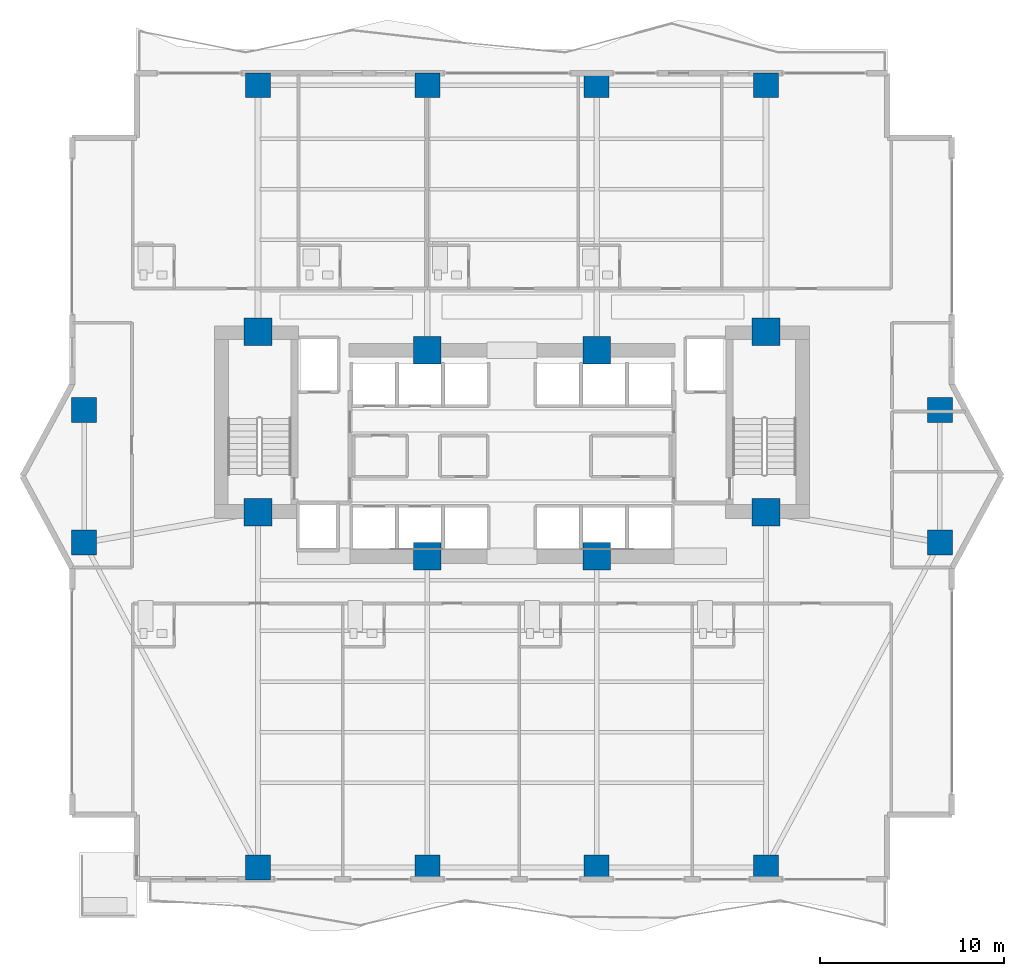
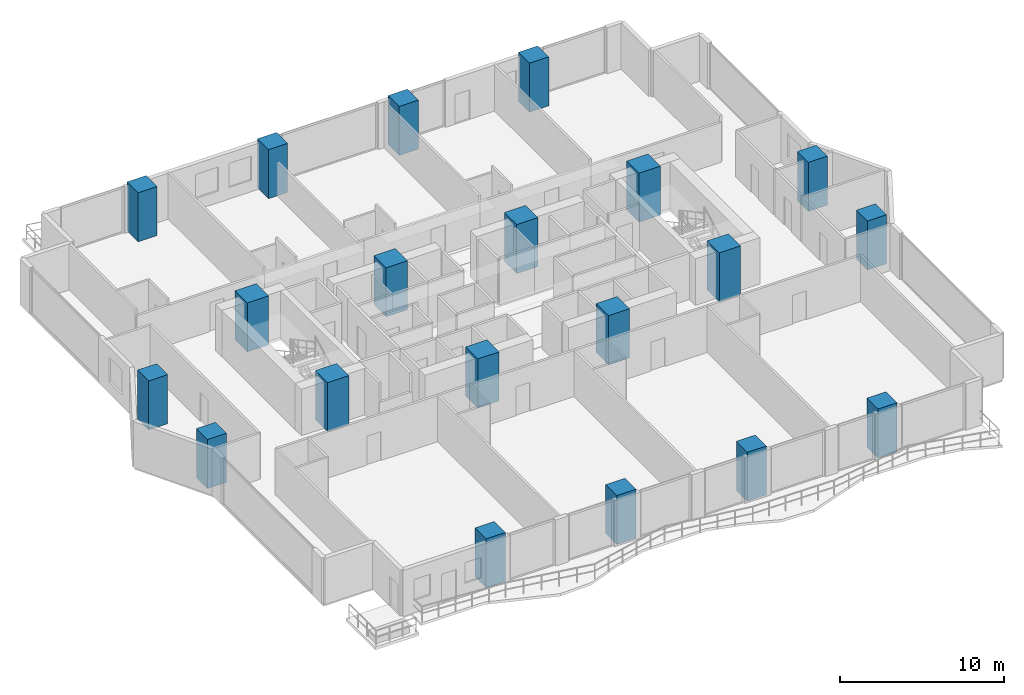
# One storey, part 1 of 27: 20 columns.
"""IFC4 building model written with IfcOpenShell, lengths in metres."""

from ifc_helpers import new_model, si_unit, direction, frame, origin, origin_2d, place, context, subcontext, project, spatial, rectangle, extrude, material, material_profile, profile_set, type_object, element, save


model = new_model("IFC4")

# Units and contexts
model_context = context("Model", 3, precision=1e-05, world=origin(), true_north=direction((0.0, 1.0)))
body_context = subcontext(model_context, "Body", "Model", "MODEL_VIEW")
ifc_project = project(units=[si_unit("LENGTHUNIT", "METRE"), si_unit("AREAUNIT", "SQUARE_METRE"), si_unit("VOLUMEUNIT", "CUBIC_METRE"), si_unit("PLANEANGLEUNIT", "RADIAN"), si_unit("MASSUNIT", "GRAM", prefix="KILO")], contexts=[model_context])

# Site, building, storey
site_placement = place(None, origin())
site = spatial("IfcSite", under=ifc_project, at=site_placement, CompositionType="ELEMENT")
building_placement = place(site_placement, origin())
building = spatial("IfcBuilding", under=site, at=building_placement, Name="Zuhayl Quay Hotel", CompositionType="ELEMENT")
storey_placement = place(building_placement, frame((0.0, 0.0, 117.550048828125)))
storey = spatial("IfcBuildingStorey", under=building, at=storey_placement, Name="L29", CompositionType="ELEMENT", Elevation=117.550048828125)

# Columns
ifc_material = material(Name="Concrete C70/85", Category="concrete")
ifc_material_profile_1 = material_profile(ifc_material, rectangle(XDim=1.5, YDim=1.5, at=origin_2d()), Name="RC1500X1500")
ifc_profile_set_1 = profile_set([ifc_material_profile_1], Name="Concrete C70/85")
column_type_1 = type_object("IfcColumnType", Name="CL_CC1_1500", PredefinedType="COLUMN", material=ifc_profile_set_1)
for number, where, z_axis, x_axis, name in (
    (1, (-13.800048828125, 14.35009765625, 0.0), (0.0, 0.0, 1.0), (1.0, 0.0, 0.0), "L29 Core Column CC_NW"),
    (2, (-4.60009765625, 13.35009765625, 0.0), (0.0, 0.0, 1.0), (1.0, 0.0, 0.0), "L29 Core Column CC_CNW"),
    (3, (4.60009765625, 13.35009765625, 0.0), (0.0, 0.0, 1.0), (1.0, 0.0, 0.0), "L29 Core Column CC_CNE"),
    (4, (13.800048828125, 14.35009765625, 0.0), (0.0, 0.0, 1.0), (1.0, 0.0, 0.0), "L29 Core Column CC_NE"),
    (5, (-13.800048828125, 4.550048828125, 0.0), (0.0, 0.0, 1.0), (1.0, 0.0, 0.0), "L29 Core Column CC_SW"),
    (6, (-4.60009765625, 2.14990234375, 0.0), (0.0, 0.0, 1.0), (1.0, 0.0, 0.0), "L29 Core Column CC_CSW"),
    (7, (4.60009765625, 2.14990234375, 0.0), (0.0, 0.0, 1.0), (1.0, 0.0, 0.0), "L29 Core Column CC_CSE"),
    (8, (13.800048828125, 4.550048828125, 0.0), (0.0, 0.0, 1.0), (1.0, 0.0, 0.0), "L29 Core Column CC_SE"),
):
    element("IfcColumn", number, at=place(storey_placement, frame(where, z_axis=z_axis, x_axis=x_axis)), inside=storey, type_object=column_type_1, Name=name, PredefinedType="COLUMN", context=body_context, shape_type="SweptSolid", body=[
        extrude(rectangle(XDim=1.5, YDim=1.5, at=origin_2d()), origin(), (0.0, 0.0, 1.0), 3.64990234375),
    ])
ifc_material_profile_2 = material_profile(ifc_material, rectangle(XDim=1.35009765625, YDim=1.35009765625, at=origin_2d()), Name="RC1350X1350")
ifc_profile_set_2 = profile_set([ifc_material_profile_2], Name="Concrete C70/85")
column_type_2 = type_object("IfcColumnType", Name="CL_MC2_1350", PredefinedType="COLUMN", material=ifc_profile_set_2)
for number, where, z_axis, x_axis, name in (
    (9, (-13.800048828125, -14.75, 0.0), (0.0, 0.0, 1.0), (1.0, 0.0, 0.0), "L29 Mega-Column MC_S1"),
    (10, (-4.60009765625, -14.75, 0.0), (0.0, 0.0, 1.0), (1.0, 0.0, 0.0), "L29 Mega-Column MC_S2"),
    (11, (4.60009765625, -14.75, 0.0), (0.0, 0.0, 1.0), (1.0, 0.0, 0.0), "L29 Mega-Column MC_S3"),
    (12, (13.800048828125, -14.75, 0.0), (0.0, 0.0, 1.0), (1.0, 0.0, 0.0), "L29 Mega-Column MC_S4"),
    (13, (-13.800048828125, 27.75, 0.0), (0.0, 0.0, 1.0), (1.0, 0.0, 0.0), "L29 Mega-Column MC_N1"),
    (14, (-4.60009765625, 27.75, 0.0), (0.0, 0.0, 1.0), (1.0, 0.0, 0.0), "L29 Mega-Column MC_N2"),
    (15, (4.60009765625, 27.75, 0.0), (0.0, 0.0, 1.0), (1.0, 0.0, 0.0), "L29 Mega-Column MC_N3"),
    (16, (13.800048828125, 27.75, 0.0), (0.0, 0.0, 1.0), (1.0, 0.0, 0.0), "L29 Mega-Column MC_N4"),
    (17, (-23.25, 2.89990234375, 0.0), (0.0, 0.0, 1.0), (1.0, 0.0, 0.0), "L29 Mega-Column MC_W1"),
    (18, (-23.25, 10.10009765625, 0.0), (0.0, 0.0, 1.0), (1.0, 0.0, 0.0), "L29 Mega-Column MC_W2"),
    (19, (23.25, 2.89990234375, 0.0), (0.0, 0.0, 1.0), (1.0, 0.0, 0.0), "L29 Mega-Column MC_E1"),
    (20, (23.25, 10.10009765625, 0.0), (0.0, 0.0, 1.0), (1.0, 0.0, 0.0), "L29 Mega-Column MC_E2"),
):
    element("IfcColumn", number, at=place(storey_placement, frame(where, z_axis=z_axis, x_axis=x_axis)), inside=storey, type_object=column_type_2, Name=name, PredefinedType="COLUMN", context=body_context, shape_type="SweptSolid", body=[
        extrude(rectangle(XDim=1.35009765625, YDim=1.35009765625, at=origin_2d()), origin(), (0.0, 0.0, 1.0), 3.64990234375),
    ])

save(model, "model.ifc")
